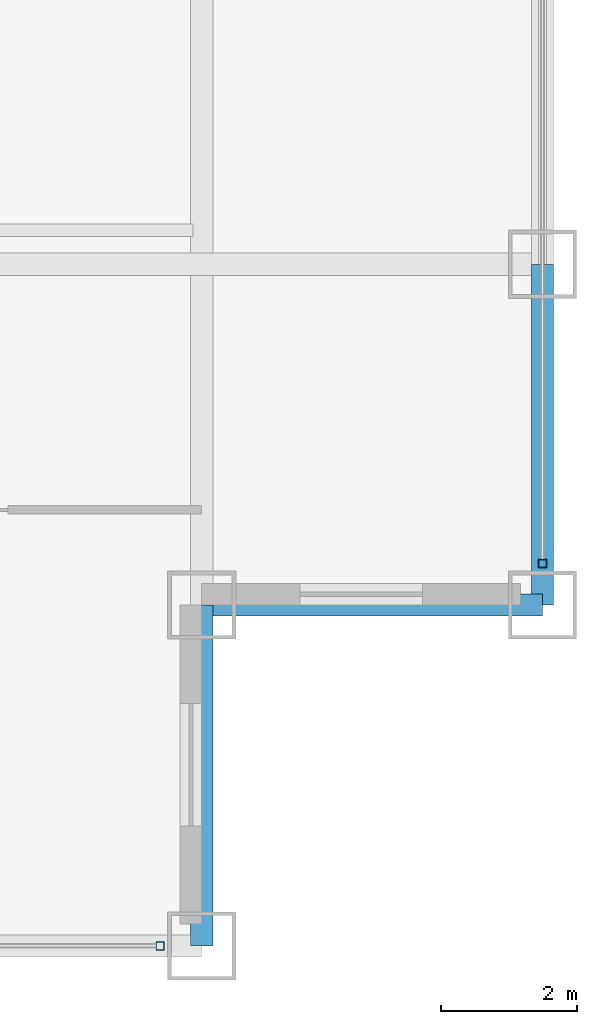
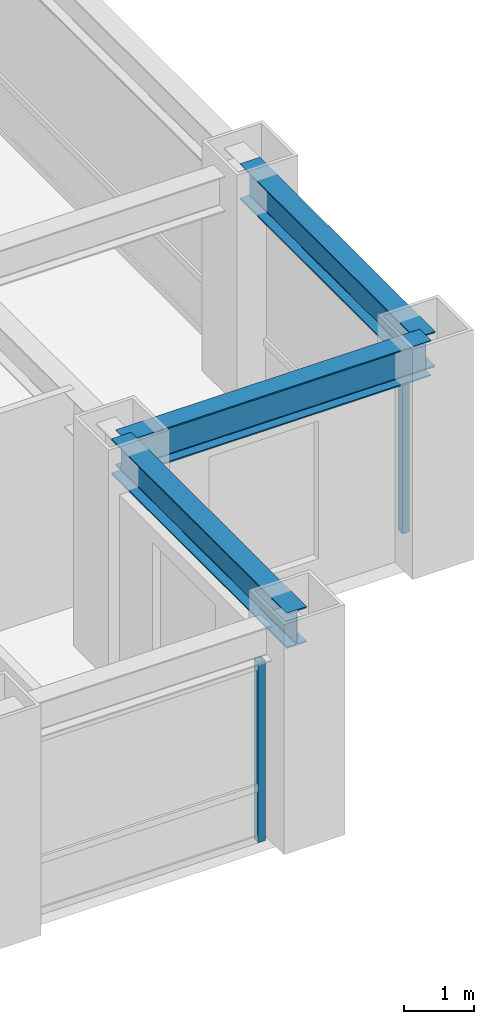
# One storey, part 8 of 25: 3 beams, 2 members, 2 elements without a shape of their own.
"""IFC4 building model written with IfcOpenShell, lengths in metres."""

from ifc_helpers import new_model, si_unit, direction, frame, origin, origin_2d, place, context, subcontext, project, spatial, hollow_rectangle, i_section, extrude, source, transform, mapped, material, material_profile, profile_set, type_object, element, aggregate, save


model = new_model("IFC4")

# Units and contexts
model_context = context("Model", 3, precision=1e-05, world=origin(), true_north=direction((0.0, 1.0)))
body_context = subcontext(model_context, "Body", "Model", "MODEL_VIEW")
ifc_project = project(units=[si_unit("LENGTHUNIT", "METRE"), si_unit("AREAUNIT", "SQUARE_METRE"), si_unit("VOLUMEUNIT", "CUBIC_METRE"), si_unit("PLANEANGLEUNIT", "RADIAN"), si_unit("MASSUNIT", "GRAM", prefix="KILO")], contexts=[model_context])

# Site, building, storey
site_placement = place(None, origin())
site = spatial("IfcSite", under=ifc_project, at=site_placement, CompositionType="ELEMENT")
building_placement = place(site_placement, origin())
building = spatial("IfcBuilding", under=site, at=building_placement, Name="Khorayat Bourse Tower", CompositionType="ELEMENT")
storey_placement = place(building_placement, frame((0.0, 0.0, 251.10009765625)))
storey = spatial("IfcBuildingStorey", under=building, at=storey_placement, Name="L59", CompositionType="ELEMENT", Elevation=251.10009765625)

# Beams
ifc_material_1 = material(Name="Steel ASTM A992 Grade 50", Category="steel")
ifc_material_profile_1 = material_profile(ifc_material_1, i_section(OverallWidth=0.324951171875, OverallDepth=0.615966796875, WebThickness=0.013916015625, FlangeThickness=0.021484375, FilletRadius=0.01611328125, at=origin_2d()), Name="W610X174")
ifc_profile_set_1 = profile_set([ifc_material_profile_1], Name="Steel ASTM A992 Grade 50")
beam_type = type_object("IfcBeamType", Name="BM-SPAN-610", PredefinedType="SPANDREL", material=ifc_profile_set_1)
shared_shape_1 = source(origin(), body_context, "Body", "SweptSolid", [
    extrude(i_section(OverallWidth=0.324951171875, OverallDepth=0.615966796875, WebThickness=0.013916015625, FlangeThickness=0.021484375, FilletRadius=0.01611328125, at=origin_2d()), origin(), (0.0, 0.0, 1.0), 5.0),
])
for number, where, z_axis, x_axis, name in (
    (1, (25.0, -30.0, 3.471923828125), (0.0, 1.0, 0.0), (-1.0, 0.0, 0.0), "L59 BM-SPAN-610 BM-L59-SPN-032"),
    (2, (25.0, -25.0, 3.471923828125), (1.0, 0.0, 0.0), (0.0, 1.0, 0.0), "L59 BM-SPAN-610 BM-L59-SPN-033"),
    (3, (30.0, -25.0, 3.471923828125), (0.0, 1.0, 0.0), (-1.0, 0.0, 0.0), "L59 BM-SPAN-610 BM-L59-SPN-034"),
):
    element("IfcBeam", number, at=place(storey_placement, frame(where, z_axis=z_axis, x_axis=x_axis)), inside=storey, type_object=beam_type, Name=name, PredefinedType="SPANDREL", context=body_context, shape_type="MappedRepresentation", body=[
        mapped(shared_shape_1, transform((0.0, 0.0, 0.0), scale=1.0)),
    ])

# Curtain wall, member
ifc_material_2 = material(Name="Aluminium EN AW-6063 T6", Category="aluminium")
curtain_wall_type = type_object("IfcCurtainWallType", Name="CW-SYS-03", PredefinedType="NOTDEFINED", material=ifc_material_2)
curtain_wall_1_placement = place(storey_placement, origin())
curtain_wall_1 = element("IfcCurtainWall", 4, at=curtain_wall_1_placement, inside=storey, type_object=curtain_wall_type, Name="L59 Curtain Wall CW-L59-S1", PredefinedType="NOTDEFINED")
ifc_material_profile_2 = material_profile(ifc_material_2, hollow_rectangle(XDim=0.1201171875, YDim=0.1201171875, WallThickness=0.0048828125, at=origin_2d()), Name="ALU 120x120x5")
ifc_profile_set_2 = profile_set([ifc_material_profile_2], Name="Aluminium EN AW-6063 T6")
member_type = type_object("IfcMemberType", Name="CWM-VERT-120", PredefinedType="MULLION", material=ifc_profile_set_2)
shared_shape_2 = source(origin(), body_context, "Body", "SweptSolid", [
    extrude(hollow_rectangle(XDim=0.1201171875, YDim=0.1201171875, WallThickness=0.0048828125, at=origin_2d()), origin(), (0.0, 0.0, 1.0), 3.1298828125),
])
member_1_placement = place(storey_placement, frame((24.389892578125, -30.0, 0.0), z_axis=(0.0, 0.0, 1.0), x_axis=(0.0, 1.0, 0.0)))
member_1 = element("IfcMember", 5, at=member_1_placement, type_object=member_type, Name="CW-L59-S1 Vertical Mullion 3", PredefinedType="MULLION", context=body_context, shape_type="MappedRepresentation", body=[
    mapped(shared_shape_2, transform((0.0, 0.0, 0.0), scale=1.0)),
])
aggregate(curtain_wall_1, [member_1])

curtain_wall_2_placement = place(storey_placement, origin())
curtain_wall_2 = element("IfcCurtainWall", 6, at=curtain_wall_2_placement, inside=storey, type_object=curtain_wall_type, Name="L59 Curtain Wall CW-L59-E1", PredefinedType="NOTDEFINED")
member_2_placement = place(storey_placement, frame((30.0, -24.389892578125, 0.0), z_axis=(0.0, 0.0, 1.0), x_axis=(-1.0, 0.0, 0.0)))
member_2 = element("IfcMember", 7, at=member_2_placement, type_object=member_type, Name="CW-L59-E1 Vertical Mullion 1", PredefinedType="MULLION", context=body_context, shape_type="MappedRepresentation", body=[
    mapped(shared_shape_2, transform((0.0, 0.0, 0.0), scale=1.0)),
])
aggregate(curtain_wall_2, [member_2])

save(model, "model.ifc")
